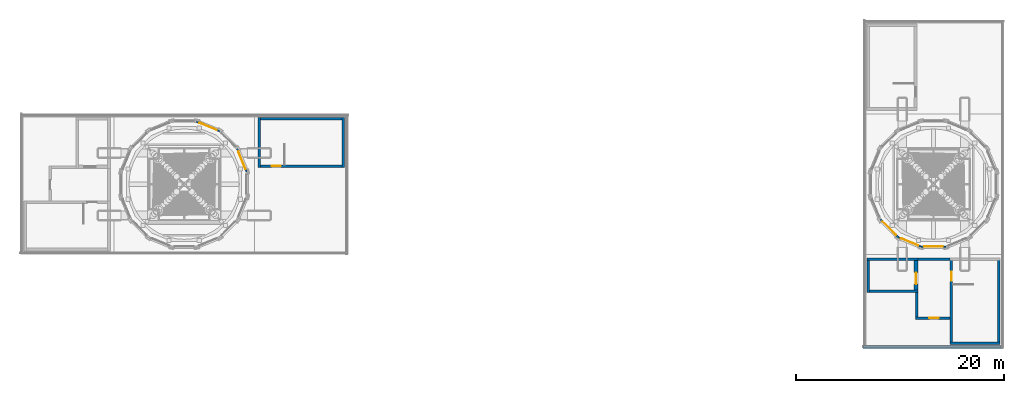
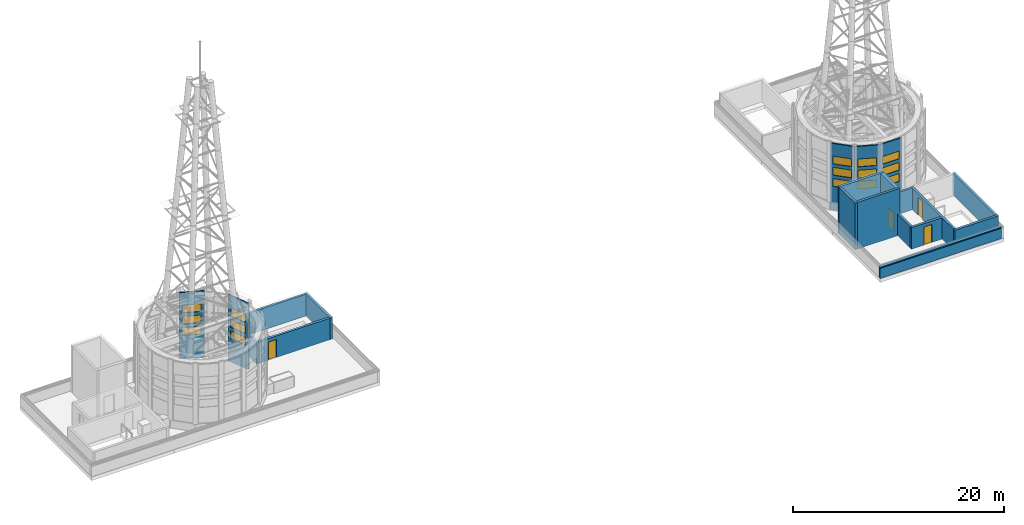
# One storey, part 13 of 36: 21 walls, 15 windows, 4 doors, 19 openings.
"""IFC4 building model written with IfcOpenShell, lengths in metres."""

from ifc_helpers import new_model, si_unit, direction, frame, frame_2d, origin, place, context, subcontext, project, spatial, rectangle, extrude, material, layer, layer_set, type_object, element, fill, save


model = new_model("IFC4")

# Units and contexts
model_context = context("Model", 3, precision=1e-05, world=origin(), true_north=direction((0.0, 1.0)))
body_context = subcontext(model_context, "Body", "Model", "MODEL_VIEW")
ifc_project = project(units=[si_unit("LENGTHUNIT", "METRE"), si_unit("AREAUNIT", "SQUARE_METRE"), si_unit("VOLUMEUNIT", "CUBIC_METRE"), si_unit("PLANEANGLEUNIT", "RADIAN"), si_unit("MASSUNIT", "GRAM", prefix="KILO")], contexts=[model_context])

# Site, building, storey
site_placement = place(None, origin())
site = spatial("IfcSite", under=ifc_project, at=site_placement, CompositionType="ELEMENT")
building_placement = place(site_placement, origin())
building = spatial("IfcBuilding", under=site, at=building_placement, Name="Ipe Terrace Towers", CompositionType="ELEMENT")
storey_placement = place(building_placement, frame((0.0, 0.0, 264.89990234375)))
storey = spatial("IfcBuildingStorey", under=building, at=storey_placement, Name="Roof", CompositionType="ELEMENT", Elevation=264.89990234375)

# Walls
ifc_material_1 = material(Name="Concrete C40/50 with buff precast cladding", Category="concrete")
ifc_layer_1 = layer(ifc_material_1, 0.300048828125)
ifc_layer_set_1 = layer_set([ifc_layer_1], Name="PARAPET COPING 300")
wall_type_1 = type_object("IfcWallType", Name="PARAPET COPING 300", PredefinedType="STANDARD", material=ifc_layer_set_1)
wall_1_placement = place(storey_placement, frame((29.25, -15.625, 1.239990234375), z_axis=(0.0, 0.0, 1.0), x_axis=(1.0, 0.0, 0.0)))
element("IfcWall", 1, at=wall_1_placement, inside=storey, type_object=wall_type_1, Name="parapet stone coping", PredefinedType="STANDARD", context=body_context, shape_type="SweptSolid", body=[
    extrude(rectangle(XDim=13.25, YDim=0.300048828125, at=frame_2d((6.625, 0.0))), origin(), (0.0, 0.0, 1.0), 0.1201171875),
])
ifc_material_2 = material(Name="Concrete C40/50 with buff precast cladding", Category="concrete")
ifc_layer_2 = layer(ifc_material_2, 0.25)
ifc_layer_set_2 = layer_set([ifc_layer_2], Name="PARAPET WALL 250")
wall_type_2 = type_object("IfcWallType", Name="PARAPET WALL 250", PredefinedType="STANDARD", material=ifc_layer_set_2)
wall_2_placement = place(storey_placement, frame((29.25, -15.625, 0.0400390625), z_axis=(0.0, 0.0, 1.0), x_axis=(1.0, 0.0, 0.0)))
element("IfcWall", 2, at=wall_2_placement, inside=storey, type_object=wall_type_2, Name="parapet", PredefinedType="STANDARD", context=body_context, shape_type="SweptSolid", body=[
    extrude(rectangle(XDim=13.25, YDim=0.25, at=frame_2d((6.625, 0.0))), origin(), (0.0, 0.0, 1.0), 1.199951171875),
])

# Wall, openings, windows
ifc_material_3 = material(Name="Concrete C40/50 with buff precast cladding", Category="concrete")
ifc_layer_3 = layer(ifc_material_3, 0.14990234375)
ifc_layer_set_3 = layer_set([ifc_layer_3], Name="PLANT DRUM WALL 150")
wall_type_3 = type_object("IfcWallType", Name="PLANT DRUM WALL 150", PredefinedType="STANDARD", material=ifc_layer_set_3)
wall_3_placement = place(storey_placement, frame((-29.988037109375, 1.180908203125, 0.0400390625), z_axis=(0.0, 0.0, 1.0), x_axis=(-0.382758783979, 0.923848317251, 0.0)))
wall_3 = element("IfcWall", 3, at=wall_3_placement, inside=storey, type_object=wall_type_3, Name="plant drum wall", PredefinedType="STANDARD", context=body_context, shape_type="SweptSolid", body=[
    extrude(rectangle(XDim=2.41943359375, YDim=0.14990234375, at=frame_2d((1.209716796875, 0.0))), origin(), (0.0, 0.0, 1.0), 7.66015625),
])
opening_1_placement = place(wall_3_placement, frame((0.31005859375, 0.0, 2.699951171875)))
opening_1 = element("IfcOpeningElement", 4, at=opening_1_placement, cuts=wall_3, Name="Opening T1-W-04-DR-001", PredefinedType="OPENING", context=body_context, shape_type="SweptSolid", body=[
    extrude(rectangle(XDim=1.800048828125, YDim=0.89990234375, at=frame_2d((0.89990234375, 0.449951171875))), frame((0.0, 0.0849609375, 0.0), z_axis=(0.0, -1.0, 0.0), x_axis=(1.0, 0.0, 0.0)), (0.0, 0.0, 1.0), 0.169921875),
])
opening_2_placement = place(wall_3_placement, frame((0.31005859375, 0.0, 4.0)))
opening_2 = element("IfcOpeningElement", 5, at=opening_2_placement, cuts=wall_3, Name="Opening T1-W-04-DR-002", PredefinedType="OPENING", context=body_context, shape_type="SweptSolid", body=[
    extrude(rectangle(XDim=1.800048828125, YDim=0.89990234375, at=frame_2d((0.89990234375, 0.449951171875))), frame((0.0, 0.0849609375, 0.0), z_axis=(0.0, -1.0, 0.0), x_axis=(1.0, 0.0, 0.0)), (0.0, 0.0, 1.0), 0.169921875),
])
opening_3_placement = place(wall_3_placement, frame((0.31005859375, 0.0, 5.300048828125)))
opening_3 = element("IfcOpeningElement", 6, at=opening_3_placement, cuts=wall_3, Name="Opening T1-W-04-DR-003", PredefinedType="OPENING", context=body_context, shape_type="SweptSolid", body=[
    extrude(rectangle(XDim=1.800048828125, YDim=0.89990234375, at=frame_2d((0.89990234375, 0.449951171875))), frame((0.0, 0.0849609375, 0.0), z_axis=(0.0, -1.0, 0.0), x_axis=(1.0, 0.0, 0.0)), (0.0, 0.0, 1.0), 0.169921875),
])
ifc_material_4 = material(Name="Aluminium alloy 6063-T6 louvre", Category="aluminium")
window_type = type_object("IfcWindowType", Name="LOUVRE WINDOW 1800 x 900", PartitioningType="SINGLE_PANEL", PredefinedType="WINDOW", material=ifc_material_4)
window_1_placement = place(opening_1_placement, origin())
window_1 = element("IfcWindow", 7, at=window_1_placement, inside=storey, type_object=window_type, Name="W-04 window", OverallHeight=0.89990234375, OverallWidth=1.800048828125, PartitioningType="SINGLE_PANEL", PredefinedType="WINDOW", context=body_context, shape_type="SweptSolid", body=[
    extrude(rectangle(XDim=1.800048828125, YDim=0.89990234375, at=frame_2d((0.89990234375, 0.449951171875))), frame((0.0, 0.030029296875, 0.0), z_axis=(0.0, -1.0, 0.0), x_axis=(1.0, 0.0, 0.0)), (0.0, 0.0, 1.0), 0.06005859375),
])
fill(opening_1, window_1)
window_2_placement = place(opening_2_placement, origin())
window_2 = element("IfcWindow", 8, at=window_2_placement, inside=storey, type_object=window_type, Name="W-04 window", OverallHeight=0.89990234375, OverallWidth=1.800048828125, PartitioningType="SINGLE_PANEL", PredefinedType="WINDOW", context=body_context, shape_type="SweptSolid", body=[
    extrude(rectangle(XDim=1.800048828125, YDim=0.89990234375, at=frame_2d((0.89990234375, 0.449951171875))), frame((0.0, 0.030029296875, 0.0), z_axis=(0.0, -1.0, 0.0), x_axis=(1.0, 0.0, 0.0)), (0.0, 0.0, 1.0), 0.06005859375),
])
fill(opening_2, window_2)
window_3_placement = place(opening_3_placement, origin())
window_3 = element("IfcWindow", 9, at=window_3_placement, inside=storey, type_object=window_type, Name="W-04 window", OverallHeight=0.89990234375, OverallWidth=1.800048828125, PartitioningType="SINGLE_PANEL", PredefinedType="WINDOW", context=body_context, shape_type="SweptSolid", body=[
    extrude(rectangle(XDim=1.800048828125, YDim=0.89990234375, at=frame_2d((0.89990234375, 0.449951171875))), frame((0.0, 0.030029296875, 0.0), z_axis=(0.0, -1.0, 0.0), x_axis=(1.0, 0.0, 0.0)), (0.0, 0.0, 1.0), 0.06005859375),
])
fill(opening_3, window_3)

wall_4_placement = place(storey_placement, frame((-32.583984375, 5.0859375, 0.0400390625), z_axis=(0.0, 0.0, 1.0), x_axis=(-0.923848317251, 0.382758783979, 0.0)))
wall_4 = element("IfcWall", 10, at=wall_4_placement, inside=storey, type_object=wall_type_3, Name="plant drum wall", PredefinedType="STANDARD", context=body_context, shape_type="SweptSolid", body=[
    extrude(rectangle(XDim=2.41943359375, YDim=0.14990234375, at=frame_2d((1.209716796875, 0.0))), origin(), (0.0, 0.0, 1.0), 7.66015625),
])
opening_4_placement = place(wall_4_placement, frame((0.31005859375, 0.0, 2.699951171875)))
opening_4 = element("IfcOpeningElement", 11, at=opening_4_placement, cuts=wall_4, Name="Opening T1-W-04-DR-021", PredefinedType="OPENING", context=body_context, shape_type="SweptSolid", body=[
    extrude(rectangle(XDim=1.800048828125, YDim=0.89990234375, at=frame_2d((0.89990234375, 0.449951171875))), frame((0.0, 0.0849609375, 0.0), z_axis=(0.0, -1.0, 0.0), x_axis=(1.0, 0.0, 0.0)), (0.0, 0.0, 1.0), 0.169921875),
])
opening_5_placement = place(wall_4_placement, frame((0.31005859375, 0.0, 4.0)))
opening_5 = element("IfcOpeningElement", 12, at=opening_5_placement, cuts=wall_4, Name="Opening T1-W-04-DR-022", PredefinedType="OPENING", context=body_context, shape_type="SweptSolid", body=[
    extrude(rectangle(XDim=1.800048828125, YDim=0.89990234375, at=frame_2d((0.89990234375, 0.449951171875))), frame((0.0, 0.0849609375, 0.0), z_axis=(0.0, -1.0, 0.0), x_axis=(1.0, 0.0, 0.0)), (0.0, 0.0, 1.0), 0.169921875),
])
opening_6_placement = place(wall_4_placement, frame((0.31005859375, 0.0, 5.300048828125)))
opening_6 = element("IfcOpeningElement", 13, at=opening_6_placement, cuts=wall_4, Name="Opening T1-W-04-DR-023", PredefinedType="OPENING", context=body_context, shape_type="SweptSolid", body=[
    extrude(rectangle(XDim=1.800048828125, YDim=0.89990234375, at=frame_2d((0.89990234375, 0.449951171875))), frame((0.0, 0.0849609375, 0.0), z_axis=(0.0, -1.0, 0.0), x_axis=(1.0, 0.0, 0.0)), (0.0, 0.0, 1.0), 0.169921875),
])
window_4_placement = place(opening_4_placement, origin())
window_4 = element("IfcWindow", 14, at=window_4_placement, inside=storey, type_object=window_type, Name="W-04 window", OverallHeight=0.89990234375, OverallWidth=1.800048828125, PartitioningType="SINGLE_PANEL", PredefinedType="WINDOW", context=body_context, shape_type="SweptSolid", body=[
    extrude(rectangle(XDim=1.800048828125, YDim=0.89990234375, at=frame_2d((0.89990234375, 0.449951171875))), frame((0.0, 0.030029296875, 0.0), z_axis=(0.0, -1.0, 0.0), x_axis=(1.0, 0.0, 0.0)), (0.0, 0.0, 1.0), 0.06005859375),
])
fill(opening_4, window_4)
window_5_placement = place(opening_5_placement, origin())
window_5 = element("IfcWindow", 15, at=window_5_placement, inside=storey, type_object=window_type, Name="W-04 window", OverallHeight=0.89990234375, OverallWidth=1.800048828125, PartitioningType="SINGLE_PANEL", PredefinedType="WINDOW", context=body_context, shape_type="SweptSolid", body=[
    extrude(rectangle(XDim=1.800048828125, YDim=0.89990234375, at=frame_2d((0.89990234375, 0.449951171875))), frame((0.0, 0.030029296875, 0.0), z_axis=(0.0, -1.0, 0.0), x_axis=(1.0, 0.0, 0.0)), (0.0, 0.0, 1.0), 0.06005859375),
])
fill(opening_5, window_5)
window_6_placement = place(opening_6_placement, origin())
window_6 = element("IfcWindow", 16, at=window_6_placement, inside=storey, type_object=window_type, Name="W-04 window", OverallHeight=0.89990234375, OverallWidth=1.800048828125, PartitioningType="SINGLE_PANEL", PredefinedType="WINDOW", context=body_context, shape_type="SweptSolid", body=[
    extrude(rectangle(XDim=1.800048828125, YDim=0.89990234375, at=frame_2d((0.89990234375, 0.449951171875))), frame((0.0, 0.030029296875, 0.0), z_axis=(0.0, -1.0, 0.0), x_axis=(1.0, 0.0, 0.0)), (0.0, 0.0, 1.0), 0.06005859375),
])
fill(opening_6, window_6)

wall_5_placement = place(storey_placement, frame((30.89794921875, -3.39208984375, 0.0400390625), z_axis=(0.0, 0.0, 1.0), x_axis=(0.707106781187, -0.707106781187, 0.0)))
wall_5 = element("IfcWall", 17, at=wall_5_placement, inside=storey, type_object=wall_type_3, Name="plant drum wall", PredefinedType="STANDARD", context=body_context, shape_type="SweptSolid", body=[
    extrude(rectangle(XDim=2.418212890625, YDim=0.14990234375, at=frame_2d((1.208984375, 0.0))), origin(), (0.0, 0.0, 1.0), 7.66015625),
])
opening_7_placement = place(wall_5_placement, frame((0.31005859375, 0.0, 2.699951171875)))
opening_7 = element("IfcOpeningElement", 18, at=opening_7_placement, cuts=wall_5, Name="Opening T2-W-04-DR-091", PredefinedType="OPENING", context=body_context, shape_type="SweptSolid", body=[
    extrude(rectangle(XDim=1.800048828125, YDim=0.89990234375, at=frame_2d((0.89990234375, 0.449951171875))), frame((0.0, 0.0849609375, 0.0), z_axis=(0.0, -1.0, 0.0), x_axis=(1.0, 0.0, 0.0)), (0.0, 0.0, 1.0), 0.169921875),
])
opening_8_placement = place(wall_5_placement, frame((0.31005859375, 0.0, 4.0)))
opening_8 = element("IfcOpeningElement", 19, at=opening_8_placement, cuts=wall_5, Name="Opening T2-W-04-DR-092", PredefinedType="OPENING", context=body_context, shape_type="SweptSolid", body=[
    extrude(rectangle(XDim=1.800048828125, YDim=0.89990234375, at=frame_2d((0.89990234375, 0.449951171875))), frame((0.0, 0.0849609375, 0.0), z_axis=(0.0, -1.0, 0.0), x_axis=(1.0, 0.0, 0.0)), (0.0, 0.0, 1.0), 0.169921875),
])
opening_9_placement = place(wall_5_placement, frame((0.31005859375, 0.0, 5.300048828125)))
opening_9 = element("IfcOpeningElement", 20, at=opening_9_placement, cuts=wall_5, Name="Opening T2-W-04-DR-093", PredefinedType="OPENING", context=body_context, shape_type="SweptSolid", body=[
    extrude(rectangle(XDim=1.800048828125, YDim=0.89990234375, at=frame_2d((0.89990234375, 0.449951171875))), frame((0.0, 0.0849609375, 0.0), z_axis=(0.0, -1.0, 0.0), x_axis=(1.0, 0.0, 0.0)), (0.0, 0.0, 1.0), 0.169921875),
])
window_7_placement = place(opening_7_placement, origin())
window_7 = element("IfcWindow", 21, at=window_7_placement, inside=storey, type_object=window_type, Name="W-04 window", OverallHeight=0.89990234375, OverallWidth=1.800048828125, PartitioningType="SINGLE_PANEL", PredefinedType="WINDOW", context=body_context, shape_type="SweptSolid", body=[
    extrude(rectangle(XDim=1.800048828125, YDim=0.89990234375, at=frame_2d((0.89990234375, 0.449951171875))), frame((0.0, 0.030029296875, 0.0), z_axis=(0.0, -1.0, 0.0), x_axis=(1.0, 0.0, 0.0)), (0.0, 0.0, 1.0), 0.06005859375),
])
fill(opening_7, window_7)
window_8_placement = place(opening_8_placement, origin())
window_8 = element("IfcWindow", 22, at=window_8_placement, inside=storey, type_object=window_type, Name="W-04 window", OverallHeight=0.89990234375, OverallWidth=1.800048828125, PartitioningType="SINGLE_PANEL", PredefinedType="WINDOW", context=body_context, shape_type="SweptSolid", body=[
    extrude(rectangle(XDim=1.800048828125, YDim=0.89990234375, at=frame_2d((0.89990234375, 0.449951171875))), frame((0.0, 0.030029296875, 0.0), z_axis=(0.0, -1.0, 0.0), x_axis=(1.0, 0.0, 0.0)), (0.0, 0.0, 1.0), 0.06005859375),
])
fill(opening_8, window_8)
window_9_placement = place(opening_9_placement, origin())
window_9 = element("IfcWindow", 23, at=window_9_placement, inside=storey, type_object=window_type, Name="W-04 window", OverallHeight=0.89990234375, OverallWidth=1.800048828125, PartitioningType="SINGLE_PANEL", PredefinedType="WINDOW", context=body_context, shape_type="SweptSolid", body=[
    extrude(rectangle(XDim=1.800048828125, YDim=0.89990234375, at=frame_2d((0.89990234375, 0.449951171875))), frame((0.0, 0.030029296875, 0.0), z_axis=(0.0, -1.0, 0.0), x_axis=(1.0, 0.0, 0.0)), (0.0, 0.0, 1.0), 0.06005859375),
])
fill(opening_9, window_9)

wall_6_placement = place(storey_placement, frame((32.583984375, -5.0859375, 0.0400390625), z_axis=(0.0, 0.0, 1.0), x_axis=(0.923848317251, -0.382758783979, 0.0)))
wall_6 = element("IfcWall", 24, at=wall_6_placement, inside=storey, type_object=wall_type_3, Name="plant drum wall", PredefinedType="STANDARD", context=body_context, shape_type="SweptSolid", body=[
    extrude(rectangle(XDim=2.41943359375, YDim=0.14990234375, at=frame_2d((1.209716796875, 0.0))), origin(), (0.0, 0.0, 1.0), 7.66015625),
])
opening_10_placement = place(wall_6_placement, frame((0.31005859375, 0.0, 2.699951171875)))
opening_10 = element("IfcOpeningElement", 25, at=opening_10_placement, cuts=wall_6, Name="Opening T2-W-04-DR-101", PredefinedType="OPENING", context=body_context, shape_type="SweptSolid", body=[
    extrude(rectangle(XDim=1.800048828125, YDim=0.89990234375, at=frame_2d((0.89990234375, 0.449951171875))), frame((0.0, 0.0849609375, 0.0), z_axis=(0.0, -1.0, 0.0), x_axis=(1.0, 0.0, 0.0)), (0.0, 0.0, 1.0), 0.169921875),
])
opening_11_placement = place(wall_6_placement, frame((0.31005859375, 0.0, 4.0)))
opening_11 = element("IfcOpeningElement", 26, at=opening_11_placement, cuts=wall_6, Name="Opening T2-W-04-DR-102", PredefinedType="OPENING", context=body_context, shape_type="SweptSolid", body=[
    extrude(rectangle(XDim=1.800048828125, YDim=0.89990234375, at=frame_2d((0.89990234375, 0.449951171875))), frame((0.0, 0.0849609375, 0.0), z_axis=(0.0, -1.0, 0.0), x_axis=(1.0, 0.0, 0.0)), (0.0, 0.0, 1.0), 0.169921875),
])
opening_12_placement = place(wall_6_placement, frame((0.31005859375, 0.0, 5.300048828125)))
opening_12 = element("IfcOpeningElement", 27, at=opening_12_placement, cuts=wall_6, Name="Opening T2-W-04-DR-103", PredefinedType="OPENING", context=body_context, shape_type="SweptSolid", body=[
    extrude(rectangle(XDim=1.800048828125, YDim=0.89990234375, at=frame_2d((0.89990234375, 0.449951171875))), frame((0.0, 0.0849609375, 0.0), z_axis=(0.0, -1.0, 0.0), x_axis=(1.0, 0.0, 0.0)), (0.0, 0.0, 1.0), 0.169921875),
])
window_10_placement = place(opening_10_placement, origin())
window_10 = element("IfcWindow", 28, at=window_10_placement, inside=storey, type_object=window_type, Name="W-04 window", OverallHeight=0.89990234375, OverallWidth=1.800048828125, PartitioningType="SINGLE_PANEL", PredefinedType="WINDOW", context=body_context, shape_type="SweptSolid", body=[
    extrude(rectangle(XDim=1.800048828125, YDim=0.89990234375, at=frame_2d((0.89990234375, 0.449951171875))), frame((0.0, 0.030029296875, 0.0), z_axis=(0.0, -1.0, 0.0), x_axis=(1.0, 0.0, 0.0)), (0.0, 0.0, 1.0), 0.06005859375),
])
fill(opening_10, window_10)
window_11_placement = place(opening_11_placement, origin())
window_11 = element("IfcWindow", 29, at=window_11_placement, inside=storey, type_object=window_type, Name="W-04 window", OverallHeight=0.89990234375, OverallWidth=1.800048828125, PartitioningType="SINGLE_PANEL", PredefinedType="WINDOW", context=body_context, shape_type="SweptSolid", body=[
    extrude(rectangle(XDim=1.800048828125, YDim=0.89990234375, at=frame_2d((0.89990234375, 0.449951171875))), frame((0.0, 0.030029296875, 0.0), z_axis=(0.0, -1.0, 0.0), x_axis=(1.0, 0.0, 0.0)), (0.0, 0.0, 1.0), 0.06005859375),
])
fill(opening_11, window_11)
window_12_placement = place(opening_12_placement, origin())
window_12 = element("IfcWindow", 30, at=window_12_placement, inside=storey, type_object=window_type, Name="W-04 window", OverallHeight=0.89990234375, OverallWidth=1.800048828125, PartitioningType="SINGLE_PANEL", PredefinedType="WINDOW", context=body_context, shape_type="SweptSolid", body=[
    extrude(rectangle(XDim=1.800048828125, YDim=0.89990234375, at=frame_2d((0.89990234375, 0.449951171875))), frame((0.0, 0.030029296875, 0.0), z_axis=(0.0, -1.0, 0.0), x_axis=(1.0, 0.0, 0.0)), (0.0, 0.0, 1.0), 0.06005859375),
])
fill(opening_12, window_12)

wall_7_placement = place(storey_placement, frame((34.7900390625, -6.006103515625, 0.0400390625), z_axis=(0.0, 0.0, 1.0), x_axis=(1.0, 0.0, 0.0)))
wall_7 = element("IfcWall", 31, at=wall_7_placement, inside=storey, type_object=wall_type_3, Name="plant drum wall", PredefinedType="STANDARD", context=body_context, shape_type="SweptSolid", body=[
    extrude(rectangle(XDim=2.419921875, YDim=0.14990234375, at=frame_2d((1.2099609375, 0.0))), origin(), (0.0, 0.0, 1.0), 7.66015625),
])
opening_13_placement = place(wall_7_placement, frame((0.31005859375, 0.0, 2.699951171875)))
opening_13 = element("IfcOpeningElement", 32, at=opening_13_placement, cuts=wall_7, Name="Opening T2-W-04-DR-111", PredefinedType="OPENING", context=body_context, shape_type="SweptSolid", body=[
    extrude(rectangle(XDim=1.800048828125, YDim=0.89990234375, at=frame_2d((0.89990234375, 0.449951171875))), frame((0.0, 0.0849609375, 0.0), z_axis=(0.0, -1.0, 0.0), x_axis=(1.0, 0.0, 0.0)), (0.0, 0.0, 1.0), 0.169921875),
])
opening_14_placement = place(wall_7_placement, frame((0.31005859375, 0.0, 4.0)))
opening_14 = element("IfcOpeningElement", 33, at=opening_14_placement, cuts=wall_7, Name="Opening T2-W-04-DR-112", PredefinedType="OPENING", context=body_context, shape_type="SweptSolid", body=[
    extrude(rectangle(XDim=1.800048828125, YDim=0.89990234375, at=frame_2d((0.89990234375, 0.449951171875))), frame((0.0, 0.0849609375, 0.0), z_axis=(0.0, -1.0, 0.0), x_axis=(1.0, 0.0, 0.0)), (0.0, 0.0, 1.0), 0.169921875),
])
opening_15_placement = place(wall_7_placement, frame((0.31005859375, 0.0, 5.300048828125)))
opening_15 = element("IfcOpeningElement", 34, at=opening_15_placement, cuts=wall_7, Name="Opening T2-W-04-DR-113", PredefinedType="OPENING", context=body_context, shape_type="SweptSolid", body=[
    extrude(rectangle(XDim=1.800048828125, YDim=0.89990234375, at=frame_2d((0.89990234375, 0.449951171875))), frame((0.0, 0.0849609375, 0.0), z_axis=(0.0, -1.0, 0.0), x_axis=(1.0, 0.0, 0.0)), (0.0, 0.0, 1.0), 0.169921875),
])
window_13_placement = place(opening_13_placement, origin())
window_13 = element("IfcWindow", 35, at=window_13_placement, inside=storey, type_object=window_type, Name="W-04 window", OverallHeight=0.89990234375, OverallWidth=1.800048828125, PartitioningType="SINGLE_PANEL", PredefinedType="WINDOW", context=body_context, shape_type="SweptSolid", body=[
    extrude(rectangle(XDim=1.800048828125, YDim=0.89990234375, at=frame_2d((0.89990234375, 0.449951171875))), frame((0.0, 0.030029296875, 0.0), z_axis=(0.0, -1.0, 0.0), x_axis=(1.0, 0.0, 0.0)), (0.0, 0.0, 1.0), 0.06005859375),
])
fill(opening_13, window_13)
window_14_placement = place(opening_14_placement, origin())
window_14 = element("IfcWindow", 36, at=window_14_placement, inside=storey, type_object=window_type, Name="W-04 window", OverallHeight=0.89990234375, OverallWidth=1.800048828125, PartitioningType="SINGLE_PANEL", PredefinedType="WINDOW", context=body_context, shape_type="SweptSolid", body=[
    extrude(rectangle(XDim=1.800048828125, YDim=0.89990234375, at=frame_2d((0.89990234375, 0.449951171875))), frame((0.0, 0.030029296875, 0.0), z_axis=(0.0, -1.0, 0.0), x_axis=(1.0, 0.0, 0.0)), (0.0, 0.0, 1.0), 0.06005859375),
])
fill(opening_14, window_14)
window_15_placement = place(opening_15_placement, origin())
window_15 = element("IfcWindow", 37, at=window_15_placement, inside=storey, type_object=window_type, Name="W-04 window", OverallHeight=0.89990234375, OverallWidth=1.800048828125, PartitioningType="SINGLE_PANEL", PredefinedType="WINDOW", context=body_context, shape_type="SweptSolid", body=[
    extrude(rectangle(XDim=1.800048828125, YDim=0.89990234375, at=frame_2d((0.89990234375, 0.449951171875))), frame((0.0, 0.030029296875, 0.0), z_axis=(0.0, -1.0, 0.0), x_axis=(1.0, 0.0, 0.0)), (0.0, 0.0, 1.0), 0.06005859375),
])
fill(opening_15, window_15)

# Walls
ifc_material_5 = material(Name="Concrete C40/50", Category="concrete")
ifc_layer_4 = layer(ifc_material_5, 0.25)
ifc_layer_set_4 = layer_set([ifc_layer_4], Name="RW250 STAIR HEAD-HOUSE WALL 250 C40-50")
wall_type_4 = type_object("IfcWallType", Name="RW250 STAIR HEAD-HOUSE WALL 250 C40-50", PredefinedType="SHEAR", material=ifc_layer_set_4)
for number, where, z_axis, x_axis, name in (
    (38, (-28.77490234375, 1.60009765625, 0.0), (0.0, 0.0, 1.0), (0.0, 1.0, 0.0), "Stair head-house wall T1-C1-near"),
    (39, (-20.72509765625, 1.60009765625, 0.0), (0.0, 0.0, 1.0), (0.0, 1.0, 0.0), "Stair head-house wall T1-C1-far"),
):
    element("IfcWall", number, at=place(storey_placement, frame(where, z_axis=z_axis, x_axis=x_axis)), inside=storey, type_object=wall_type_4, Name=name, PredefinedType="SHEAR", context=body_context, shape_type="SweptSolid", body=[
        extrude(rectangle(XDim=4.7998046875, YDim=0.25, at=frame_2d((2.39990234375, 0.0))), origin(), (0.0, 0.0, 1.0), 2.5),
    ])
wall_8_placement = place(storey_placement, frame((-28.89990234375, 6.27490234375, 0.0), z_axis=(0.0, 0.0, 1.0), x_axis=(1.0, 0.0, 0.0)))
element("IfcWall", 40, at=wall_8_placement, inside=storey, type_object=wall_type_4, Name="Stair head-house wall T1-C1-back", PredefinedType="SHEAR", context=body_context, shape_type="SweptSolid", body=[
    extrude(rectangle(XDim=8.2998046875, YDim=0.25, at=frame_2d((4.14990234375, 0.0))), origin(), (0.0, 0.0, 1.0), 2.5),
])

# Wall, opening, door
wall_9_placement = place(storey_placement, frame((-28.89990234375, 1.72509765625, 0.0), z_axis=(0.0, 0.0, 1.0), x_axis=(1.0, 0.0, 0.0)))
wall_9 = element("IfcWall", 41, at=wall_9_placement, inside=storey, type_object=wall_type_4, Name="Stair head-house wall T1-C1-spine", PredefinedType="SHEAR", context=body_context, shape_type="SweptSolid", body=[
    extrude(rectangle(XDim=8.2998046875, YDim=0.25, at=frame_2d((4.14990234375, 0.0))), origin(), (0.0, 0.0, 1.0), 2.5),
])
opening_16_placement = place(wall_9_placement, frame((1.300048828125, 0.0, 0.0)))
opening_16 = element("IfcOpeningElement", 42, at=opening_16_placement, cuts=wall_9, Name="Opening T1C1-RD", PredefinedType="OPENING", context=body_context, shape_type="SweptSolid", body=[
    extrude(rectangle(XDim=0.89990234375, YDim=2.10009765625, at=frame_2d((0.449951171875, 1.050048828125))), frame((0.0, 0.135009765625, 0.0), z_axis=(0.0, -1.0, 0.0), x_axis=(1.0, 0.0, 0.0)), (0.0, 0.0, 1.0), 0.27001953125),
])
ifc_material_6 = material(Name="Fire-rated timber door leaf", Category="wood")
door_type_1 = type_object("IfcDoorType", Name="Stair door 900 x 2100 FD60", OperationType="NOTDEFINED", PredefinedType="DOOR", material=ifc_material_6)
door_1_placement = place(opening_16_placement, origin())
door_1 = element("IfcDoor", 43, at=door_1_placement, inside=storey, type_object=door_type_1, Name="Stair door T1C1-RD", OperationType="SINGLE_SWING_LEFT", OverallHeight=2.10009765625, OverallWidth=0.89990234375, PredefinedType="DOOR", context=body_context, shape_type="SweptSolid", body=[
    extrude(rectangle(XDim=0.89990234375, YDim=2.10009765625, at=frame_2d((0.449951171875, 1.050048828125))), frame((0.0, 0.02490234375, 0.0), z_axis=(0.0, -1.0, 0.0), x_axis=(1.0, 0.0, 0.0)), (0.0, 0.0, 1.0), 0.050048828125),
])
fill(opening_16, door_1)

# Walls
wall_10_placement = place(storey_placement, frame((37.60009765625, -15.27490234375, 0.0), z_axis=(0.0, 0.0, 1.0), x_axis=(1.0, 0.0, 0.0)))
element("IfcWall", 44, at=wall_10_placement, inside=storey, type_object=wall_type_4, Name="Stair head-house wall T2-C2-far", PredefinedType="SHEAR", context=body_context, shape_type="SweptSolid", body=[
    extrude(rectangle(XDim=4.7998046875, YDim=0.25, at=frame_2d((2.39990234375, 0.0))), origin(), (0.0, 0.0, 1.0), 2.5),
])
wall_11_placement = place(storey_placement, frame((42.27490234375, -7.10009765625, 0.0), z_axis=(0.0, 0.0, 1.0), x_axis=(0.0, -1.0, 0.0)))
element("IfcWall", 45, at=wall_11_placement, inside=storey, type_object=wall_type_4, Name="Stair head-house wall T2-C2-back", PredefinedType="SHEAR", context=body_context, shape_type="SweptSolid", body=[
    extrude(rectangle(XDim=8.2998046875, YDim=0.25, at=frame_2d((4.14990234375, 0.0))), origin(), (0.0, 0.0, 1.0), 2.5),
])

# Wall, opening, door
wall_12_placement = place(storey_placement, frame((37.72509765625, -7.10009765625, 0.0), z_axis=(0.0, 0.0, 1.0), x_axis=(0.0, -1.0, 0.0)))
wall_12 = element("IfcWall", 46, at=wall_12_placement, inside=storey, type_object=wall_type_4, Name="Stair head-house wall T2-C2-spine", PredefinedType="SHEAR", context=body_context, shape_type="SweptSolid", body=[
    extrude(rectangle(XDim=8.2998046875, YDim=0.25, at=frame_2d((4.14990234375, 0.0))), origin(), (0.0, 0.0, 1.0), 2.5),
])
opening_17_placement = place(wall_12_placement, frame((1.300048828125, 0.0, 0.0)))
opening_17 = element("IfcOpeningElement", 47, at=opening_17_placement, cuts=wall_12, Name="Opening T2C2-RD", PredefinedType="OPENING", context=body_context, shape_type="SweptSolid", body=[
    extrude(rectangle(XDim=0.89990234375, YDim=2.10009765625, at=frame_2d((0.449951171875, 1.050048828125))), frame((0.0, 0.135009765625, 0.0), z_axis=(0.0, -1.0, 0.0), x_axis=(1.0, 0.0, 0.0)), (0.0, 0.0, 1.0), 0.27001953125),
])
door_2_placement = place(opening_17_placement, origin())
door_2 = element("IfcDoor", 48, at=door_2_placement, inside=storey, type_object=door_type_1, Name="Stair door T2C2-RD", OperationType="SINGLE_SWING_LEFT", OverallHeight=2.10009765625, OverallWidth=0.89990234375, PredefinedType="DOOR", context=body_context, shape_type="SweptSolid", body=[
    extrude(rectangle(XDim=0.89990234375, YDim=2.10009765625, at=frame_2d((0.449951171875, 1.050048828125))), frame((0.0, 0.02490234375, 0.0), z_axis=(0.0, -1.0, 0.0), x_axis=(1.0, 0.0, 0.0)), (0.0, 0.0, 1.0), 0.050048828125),
])
fill(opening_17, door_2)

# Walls
wall_13_placement = place(storey_placement, frame((29.60009765625, -7.22509765625, 0.0), z_axis=(0.0, 0.0, 1.0), x_axis=(1.0, 0.0, 0.0)))
element("IfcWall", 49, at=wall_13_placement, inside=storey, type_object=wall_type_4, Name="Lift head-house wall T2-C2-near-shaft", PredefinedType="SHEAR", context=body_context, shape_type="SweptSolid", body=[
    extrude(rectangle(XDim=4.89990234375, YDim=0.25, at=frame_2d((2.449951171875, 0.0))), origin(), (0.0, 0.0, 1.0), 5.400146484375),
])
wall_14_placement = place(storey_placement, frame((34.5, -7.22509765625, 0.0), z_axis=(0.0, 0.0, 1.0), x_axis=(1.0, 0.0, 0.0)))
element("IfcWall", 50, at=wall_14_placement, inside=storey, type_object=wall_type_4, Name="Lift head-house wall T2-C2-near-lobby", PredefinedType="SHEAR", context=body_context, shape_type="SweptSolid", body=[
    extrude(rectangle(XDim=3.10009765625, YDim=0.25, at=frame_2d((1.550048828125, 0.0))), origin(), (0.0, 0.0, 1.0), 2.5),
])
wall_15_placement = place(storey_placement, frame((29.72509765625, -7.35009765625, 0.0), z_axis=(0.0, 0.0, 1.0), x_axis=(0.0, -1.0, 0.0)))
element("IfcWall", 51, at=wall_15_placement, inside=storey, type_object=wall_type_4, Name="Lift head-house wall T2-C2-back", PredefinedType="SHEAR", context=body_context, shape_type="SweptSolid", body=[
    extrude(rectangle(XDim=3.0498046875, YDim=0.25, at=frame_2d((1.52490234375, 0.0))), origin(), (0.0, 0.0, 1.0), 5.400146484375),
])
wall_16_placement = place(storey_placement, frame((29.85009765625, -10.27490234375, 0.0), z_axis=(0.0, 0.0, 1.0), x_axis=(1.0, 0.0, 0.0)))
element("IfcWall", 52, at=wall_16_placement, inside=storey, type_object=wall_type_4, Name="Lift head-house wall T2-C2-divider", PredefinedType="SHEAR", context=body_context, shape_type="SweptSolid", body=[
    extrude(rectangle(XDim=4.64990234375, YDim=0.25, at=frame_2d((2.324951171875, 0.0))), origin(), (0.0, 0.0, 1.0), 5.400146484375),
])
wall_17_placement = place(storey_placement, frame((34.375, -10.39990234375, 0.0), z_axis=(0.0, 0.0, 1.0), x_axis=(0.0, -1.0, 0.0)))
element("IfcWall", 53, at=wall_17_placement, inside=storey, type_object=wall_type_4, Name="Lift head-house wall T2-C2-south", PredefinedType="SHEAR", context=body_context, shape_type="SweptSolid", body=[
    extrude(rectangle(XDim=2.35009765625, YDim=0.25, at=frame_2d((1.175048828125, 0.0))), origin(), (0.0, 0.0, 1.0), 2.5),
])

# Wall, opening, door
wall_18_placement = place(storey_placement, frame((34.25, -12.875, 0.0), z_axis=(0.0, 0.0, 1.0), x_axis=(1.0, 0.0, 0.0)))
wall_18 = element("IfcWall", 54, at=wall_18_placement, inside=storey, type_object=wall_type_4, Name="Lift head-house wall T2-C2-far", PredefinedType="SHEAR", context=body_context, shape_type="SweptSolid", body=[
    extrude(rectangle(XDim=3.35009765625, YDim=0.25, at=frame_2d((1.675048828125, 0.0))), origin(), (0.0, 0.0, 1.0), 2.5),
])
opening_18_placement = place(wall_18_placement, frame((1.35009765625, 0.0, 0.0)))
opening_18 = element("IfcOpeningElement", 55, at=opening_18_placement, cuts=wall_18, Name="Opening T2C2-LE", PredefinedType="OPENING", context=body_context, shape_type="SweptSolid", body=[
    extrude(rectangle(XDim=0.89990234375, YDim=2.10009765625, at=frame_2d((0.449951171875, 1.050048828125))), frame((0.0, 0.135009765625, 0.0), z_axis=(0.0, -1.0, 0.0), x_axis=(1.0, 0.0, 0.0)), (0.0, 0.0, 1.0), 0.27001953125),
])
ifc_material_7 = material(Name="Fire-rated timber door leaf", Category="wood")
door_type_2 = type_object("IfcDoorType", Name="Fire door 900 x 2100 FD60", OperationType="NOTDEFINED", PredefinedType="DOOR", material=ifc_material_7)
door_3_placement = place(opening_18_placement, origin())
door_3 = element("IfcDoor", 56, at=door_3_placement, inside=storey, type_object=door_type_2, Name="Fire door T2C2-LE", OperationType="SINGLE_SWING_LEFT", OverallHeight=2.10009765625, OverallWidth=0.89990234375, PredefinedType="DOOR", context=body_context, shape_type="SweptSolid", body=[
    extrude(rectangle(XDim=0.89990234375, YDim=2.10009765625, at=frame_2d((0.449951171875, 1.050048828125))), frame((0.0, 0.02490234375, 0.0), z_axis=(0.0, -1.0, 0.0), x_axis=(1.0, 0.0, 0.0)), (0.0, 0.0, 1.0), 0.050048828125),
])
fill(opening_18, door_3)

ifc_material_8 = material(Name="Concrete C40/50", Category="concrete")
ifc_layer_5 = layer(ifc_material_8, 0.35009765625)
ifc_layer_set_5 = layer_set([ifc_layer_5], Name="RW350 LIFT HEAD-HOUSE WALL 350 C40-50")
wall_type_5 = type_object("IfcWallType", Name="RW350 LIFT HEAD-HOUSE WALL 350 C40-50", PredefinedType="SHEAR", material=ifc_layer_set_5)
wall_19_placement = place(storey_placement, frame((34.324951171875, -7.35009765625, 0.0), z_axis=(0.0, 0.0, 1.0), x_axis=(0.0, -1.0, 0.0)))
wall_19 = element("IfcWall", 57, at=wall_19_placement, inside=storey, type_object=wall_type_5, Name="Lift head-house wall T2-C2-spine", PredefinedType="SHEAR", context=body_context, shape_type="SweptSolid", body=[
    extrude(rectangle(XDim=2.7998046875, YDim=0.35009765625, at=frame_2d((1.39990234375, 0.0))), origin(), (0.0, 0.0, 1.0), 5.400146484375),
])
opening_19_placement = place(wall_19_placement, frame((1.14990234375, 0.0, 0.0)))
opening_19 = element("IfcOpeningElement", 58, at=opening_19_placement, cuts=wall_19, Name="Opening T2C2-LD1", PredefinedType="OPENING", context=body_context, shape_type="SweptSolid", body=[
    extrude(rectangle(XDim=1.10009765625, YDim=2.10009765625, at=frame_2d((0.550048828125, 1.050048828125))), frame((0.0, 0.18505859375, 0.0), z_axis=(0.0, -1.0, 0.0), x_axis=(1.0, 0.0, 0.0)), (0.0, 0.0, 1.0), 0.3701171875),
])
ifc_material_9 = material(Name="Fire-rated timber door leaf", Category="wood")
door_type_3 = type_object("IfcDoorType", Name="Sliding door 1100 x 2100 FD60", OperationType="SLIDING_TO_LEFT", PredefinedType="DOOR", material=ifc_material_9)
door_4_placement = place(opening_19_placement, origin())
door_4 = element("IfcDoor", 59, at=door_4_placement, inside=storey, type_object=door_type_3, Name="Sliding door T2C2-LD1", OperationType="SLIDING_TO_LEFT", OverallHeight=2.10009765625, OverallWidth=1.10009765625, PredefinedType="DOOR", context=body_context, shape_type="SweptSolid", body=[
    extrude(rectangle(XDim=1.10009765625, YDim=2.10009765625, at=frame_2d((0.550048828125, 1.050048828125))), frame((0.0, 0.02490234375, 0.0), z_axis=(0.0, -1.0, 0.0), x_axis=(1.0, 0.0, 0.0)), (0.0, 0.0, 1.0), 0.050048828125),
])
fill(opening_19, door_4)

save(model, "model.ifc")
